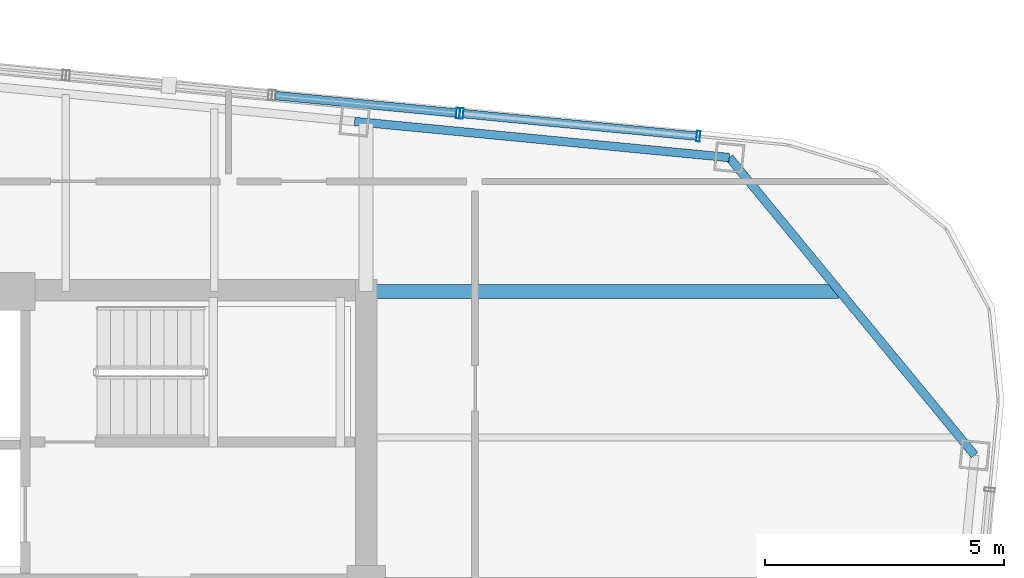
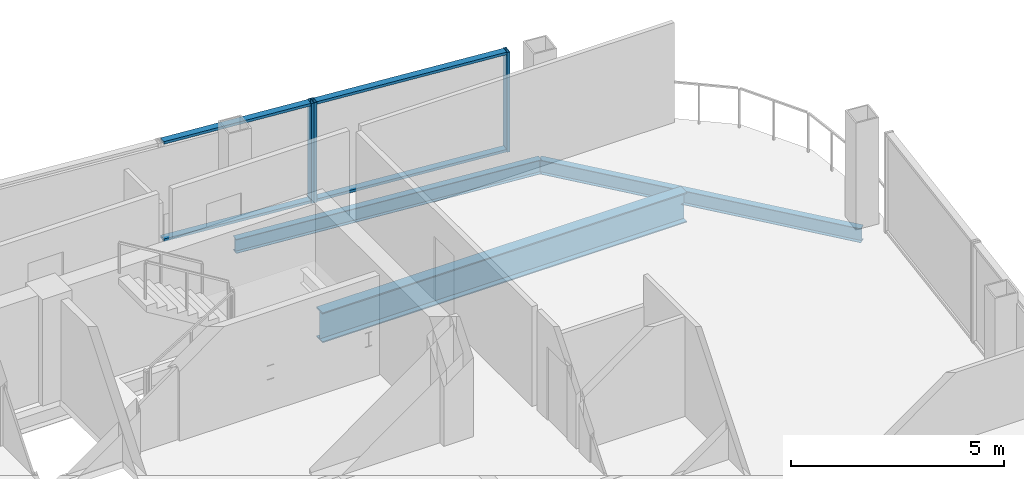
# One storey, part 15 of 23: 7 members, 3 beams, 2 elements without a shape of their own.
"""IFC4 building model written with IfcOpenShell, lengths in metres."""

from ifc_helpers import new_model, si_unit, direction, frame, origin, origin_2d, place, context, subcontext, project, spatial, hollow_rectangle, i_section, extrude, material, layer, layer_set, material_profile, profile_set, type_object, element, aggregate, save


model = new_model("IFC4")

# Units and contexts
model_context = context("Model", 3, precision=1e-05, world=origin(), true_north=direction((0.0, 1.0)))
body_context = subcontext(model_context, "Body", "Model", "MODEL_VIEW")
ifc_project = project(units=[si_unit("LENGTHUNIT", "METRE"), si_unit("AREAUNIT", "SQUARE_METRE"), si_unit("VOLUMEUNIT", "CUBIC_METRE"), si_unit("PLANEANGLEUNIT", "RADIAN"), si_unit("MASSUNIT", "GRAM", prefix="KILO")], contexts=[model_context])

# Site, building, storey
site_placement = place(None, origin())
site = spatial("IfcSite", under=ifc_project, at=site_placement, CompositionType="ELEMENT")
building_placement = place(site_placement, origin())
building = spatial("IfcBuilding", under=site, at=building_placement, Name="Qhalaya Broadcast Tower", CompositionType="ELEMENT")
storey_placement = place(building_placement, frame((0.0, 0.0, 264.199951171875)))
storey = spatial("IfcBuildingStorey", under=building, at=storey_placement, Name="L78", CompositionType="ELEMENT", Elevation=264.199951171875)

# Curtain wall, members
ifc_material_1 = material(Name="Fired Architectural Terracotta", Category="masonry")
ifc_layer_1 = layer(ifc_material_1, 0.219970703125, Name="Fired Architectural Terracotta")
ifc_layer_set_1 = layer_set([ifc_layer_1], Name="Fired Architectural Terracotta")
curtain_wall_type_1 = type_object("IfcCurtainWallType", Name="Block-Cap Unitised Terracotta Spandrel Wall CW-07", PredefinedType="NOTDEFINED", material=ifc_layer_set_1)
curtain_wall_1_placement = place(storey_placement, origin())
curtain_wall_1 = element("IfcCurtainWall", 1, at=curtain_wall_1_placement, inside=storey, type_object=curtain_wall_type_1, Name="L78 Unitised Curtain Wall L78-CW-N1", PredefinedType="NOTDEFINED")
ifc_material_2 = material(Name="Anodised Aluminium 6063-T6", Category="aluminium")
ifc_material_profile_1 = material_profile(ifc_material_2, hollow_rectangle(XDim=0.074951171875, YDim=0.219970703125, WallThickness=0.00390625, at=origin_2d()), Name="ALU-MUL 75x220x4")
ifc_profile_set_1 = profile_set([ifc_material_profile_1], Name="Anodised Aluminium 6063-T6")
member_type_1 = type_object("IfcMemberType", Name="Unitised Curtain-Wall Mullion M01", PredefinedType="MULLION", material=ifc_profile_set_1)
member_1_placement = place(storey_placement, frame((16.315185546875, 13.192626953125, 0.0), z_axis=(0.0, 0.0, 1.0), x_axis=(-0.995395145786, 0.09585668336, 0.0)))
member_1 = element("IfcMember", 2, at=member_1_placement, type_object=member_type_1, Name="CW-07 mullion 1", PredefinedType="MULLION", context=body_context, shape_type="SweptSolid", body=[
    extrude(hollow_rectangle(XDim=0.074951171875, YDim=0.219970703125, WallThickness=0.00390625, at=origin_2d()), origin(), (0.0, 0.0, 1.0), 2.860107421875),
])
member_2_placement = place(storey_placement, frame((11.367919921875, 13.6689453125, 0.0), z_axis=(0.0, 0.0, 1.0), x_axis=(-0.995395145786, 0.09585668336, 0.0)))
member_2 = element("IfcMember", 3, at=member_2_placement, type_object=member_type_1, Name="CW-07 mullion 2", PredefinedType="MULLION", context=body_context, shape_type="SweptSolid", body=[
    extrude(hollow_rectangle(XDim=0.074951171875, YDim=0.219970703125, WallThickness=0.00390625, at=origin_2d()), origin(), (0.0, 0.0, 1.0), 2.860107421875),
])

# Curtain wall, member
ifc_material_3 = material(Name="Solar-Control Low-E Triple Glazing", Category="glass")
ifc_layer_2 = layer(ifc_material_3, 0.219970703125, Name="Solar-Control Low-E Triple Glazing")
ifc_layer_set_2 = layer_set([ifc_layer_2], Name="Solar-Control Low-E Triple Glazing")
curtain_wall_type_2 = type_object("IfcCurtainWallType", Name="High-Altitude Upper-Shaft Triple Low-E Curtain Wall CW-04", PredefinedType="NOTDEFINED", material=ifc_layer_set_2)
curtain_wall_2_placement = place(storey_placement, origin())
curtain_wall_2 = element("IfcCurtainWall", 4, at=curtain_wall_2_placement, inside=storey, type_object=curtain_wall_type_2, Name="L78 Unitised Curtain Wall L78-CW-N2", PredefinedType="NOTDEFINED")
member_3_placement = place(storey_placement, frame((11.293212890625, 13.67626953125, 0.0), z_axis=(0.0, 0.0, 1.0), x_axis=(-0.995396567507, 0.09584191878, 0.0)))
member_3 = element("IfcMember", 5, at=member_3_placement, type_object=member_type_1, Name="CW-04 mullion 1", PredefinedType="MULLION", context=body_context, shape_type="SweptSolid", body=[
    extrude(hollow_rectangle(XDim=0.074951171875, YDim=0.219970703125, WallThickness=0.00390625, at=origin_2d()), origin(), (0.0, 0.0, 1.0), 2.860107421875),
])

# Member
ifc_material_profile_2 = material_profile(ifc_material_2, hollow_rectangle(XDim=0.074951171875, YDim=0.179931640625, WallThickness=0.00390625, at=origin_2d()), Name="ALU-TRN 75x180x4")
ifc_profile_set_2 = profile_set([ifc_material_profile_2], Name="Anodised Aluminium 6063-T6")
member_type_2 = type_object("IfcMemberType", Name="Unitised Curtain-Wall Transom T01", PredefinedType="USERDEFINED", material=ifc_profile_set_2)
member_4_placement = place(storey_placement, frame((16.27783203125, 13.1962890625, 0.03759765625), z_axis=(-0.995394946025, 0.095858757704, 0.0), x_axis=(0.0, 0.0, 1.0)))
member_4 = element("IfcMember", 6, at=member_4_placement, type_object=member_type_2, Name="CW-07 transom 1.1", ObjectType="TRANSOM", PredefinedType="USERDEFINED", context=body_context, shape_type="SweptSolid", body=[
    extrude(hollow_rectangle(XDim=0.074951171875, YDim=0.179931640625, WallThickness=0.00390625, at=origin_2d()), origin(), (0.0, 0.0, 1.0), 4.89501953125),
])

member_5_placement = place(storey_placement, frame((16.27783203125, 13.1962890625, 2.822509765625), z_axis=(-0.995394946025, 0.095858757704, 0.0), x_axis=(0.0, 0.0, 1.0)))
member_5 = element("IfcMember", 7, at=member_5_placement, type_object=member_type_2, Name="CW-07 transom 1.2", ObjectType="TRANSOM", PredefinedType="USERDEFINED", context=body_context, shape_type="SweptSolid", body=[
    extrude(hollow_rectangle(XDim=0.074951171875, YDim=0.179931640625, WallThickness=0.00390625, at=origin_2d()), origin(), (0.0, 0.0, 1.0), 4.89501953125),
])

aggregate(curtain_wall_1, [member_1, member_2, member_4, member_5])

member_6_placement = place(storey_placement, frame((11.255859375, 13.6796875, 0.03759765625), z_axis=(-0.995396283367, 0.095844869758, 0.0), x_axis=(0.0, 0.0, 1.0)))
member_6 = element("IfcMember", 8, at=member_6_placement, type_object=member_type_2, Name="CW-04 transom 1.1", ObjectType="TRANSOM", PredefinedType="USERDEFINED", context=body_context, shape_type="SweptSolid", body=[
    extrude(hollow_rectangle(XDim=0.074951171875, YDim=0.179931640625, WallThickness=0.00390625, at=origin_2d()), origin(), (0.0, 0.0, 1.0), 3.79296875),
])

member_7_placement = place(storey_placement, frame((11.255859375, 13.6796875, 2.822509765625), z_axis=(-0.995396283367, 0.095844869758, 0.0), x_axis=(0.0, 0.0, 1.0)))
member_7 = element("IfcMember", 9, at=member_7_placement, type_object=member_type_2, Name="CW-04 transom 1.2", ObjectType="TRANSOM", PredefinedType="USERDEFINED", context=body_context, shape_type="SweptSolid", body=[
    extrude(hollow_rectangle(XDim=0.074951171875, YDim=0.179931640625, WallThickness=0.00390625, at=origin_2d()), origin(), (0.0, 0.0, 1.0), 3.79296875),
])

aggregate(curtain_wall_2, [member_3, member_6, member_7])

# Beams
ifc_material_4 = material(Name="Structural Steel ASTM A992 Grade 50", Category="steel")
ifc_material_profile_3 = material_profile(ifc_material_4, i_section(OverallWidth=0.2919921875, OverallDepth=0.85888671875, WebThickness=0.01708984375, FlangeThickness=0.031005859375, at=origin_2d()), Name="W33X169")
ifc_profile_set_3 = profile_set([ifc_material_profile_3], Name="Structural Steel ASTM A992 Grade 50")
beam_type_1 = type_object("IfcBeamType", Name="Upper Block Primary Girder PG4", PredefinedType="USERDEFINED", material=ifc_profile_set_3)
beam_1_placement = place(storey_placement, frame((9.375, 9.949951171875, -0.619384765625), z_axis=(1.0, 0.0, 0.0), x_axis=(0.0, 1.0, 0.0)))
element("IfcBeam", 10, at=beam_1_placement, inside=storey, type_object=beam_type_1, Name="L78 PG4 L78-PGYE4-1", ObjectType="GIRDER", PredefinedType="USERDEFINED", context=body_context, shape_type="SweptSolid", body=[
    extrude(i_section(OverallWidth=0.2919921875, OverallDepth=0.85888671875, WebThickness=0.01708984375, FlangeThickness=0.031005859375, at=origin_2d()), origin(), (0.0, 0.0, 1.0), 9.868896484375),
])
ifc_material_profile_4 = material_profile(ifc_material_4, i_section(OverallWidth=0.177978515625, OverallDepth=0.406005859375, WebThickness=0.0078125, FlangeThickness=0.0126953125, at=origin_2d()), Name="W16X40")
ifc_profile_set_4 = profile_set([ifc_material_profile_4], Name="Structural Steel ASTM A992 Grade 50")
beam_type_2 = type_object("IfcBeamType", Name="Upper Perimeter Spandrel Beam SP2", PredefinedType="SPANDREL", material=ifc_profile_set_4)
beam_2_placement = place(storey_placement, frame((22.09033203125, 6.5283203125, -0.39306640625), z_axis=(-0.636070241972, 0.771631160126, 0.0), x_axis=(-0.771631160126, -0.636070241972, 0.0)))
element("IfcBeam", 11, at=beam_2_placement, inside=storey, type_object=beam_type_2, Name="L78 SP2 L78-SPR-08", PredefinedType="SPANDREL", context=body_context, shape_type="SweptSolid", body=[
    extrude(i_section(OverallWidth=0.177978515625, OverallDepth=0.406005859375, WebThickness=0.0078125, FlangeThickness=0.0126953125, at=origin_2d()), origin(), (0.0, 0.0, 1.0), 8.06103515625),
])
beam_3_placement = place(storey_placement, frame((16.962890625, 12.74853515625, -0.39306640625), z_axis=(-0.995397023367, 0.095837184179, 0.0), x_axis=(-0.095837184179, -0.995397023367, 0.0)))
element("IfcBeam", 12, at=beam_3_placement, inside=storey, type_object=beam_type_2, Name="L78 SP2 L78-SPR-09", PredefinedType="SPANDREL", context=body_context, shape_type="SweptSolid", body=[
    extrude(i_section(OverallWidth=0.177978515625, OverallDepth=0.406005859375, WebThickness=0.0078125, FlangeThickness=0.0126953125, at=origin_2d()), origin(), (0.0, 0.0, 1.0), 7.866455078125),
])

save(model, "model.ifc")
